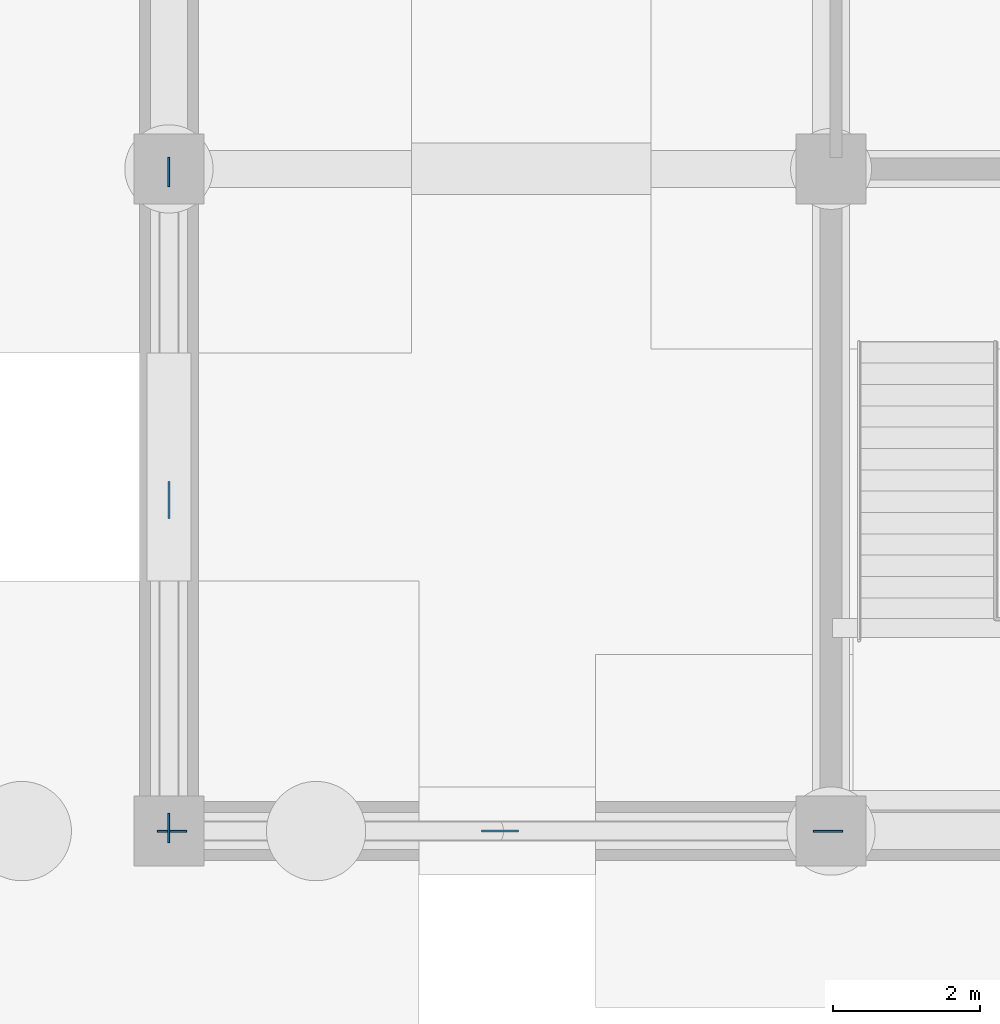
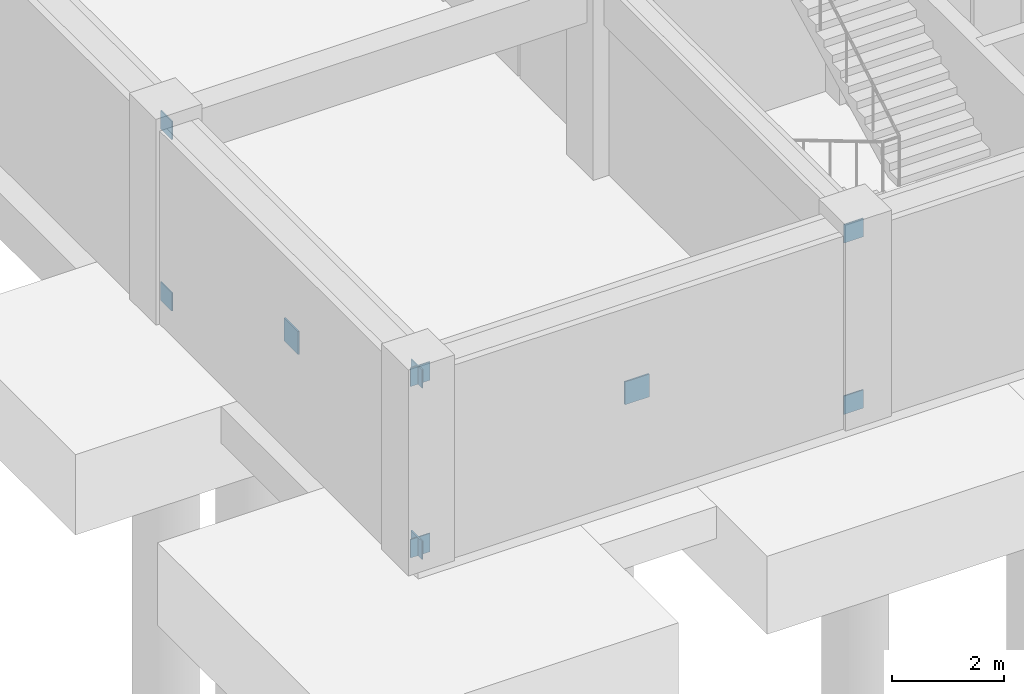
# One storey, part 34 of 41: 10 discrete accessories.
"""IFC4 building model written with IfcOpenShell, lengths in metres."""

from ifc_helpers import new_model, si_unit, direction, frame, origin, origin_2d, place, context, subcontext, project, spatial, rectangle, extrude, material, type_object, element, save


model = new_model("IFC4")

# Units and contexts
model_context = context("Model", 3, precision=1e-05, world=origin(), true_north=direction((0.0, 1.0)))
body_context = subcontext(model_context, "Body", "Model", "MODEL_VIEW")
ifc_project = project(units=[si_unit("LENGTHUNIT", "METRE"), si_unit("AREAUNIT", "SQUARE_METRE"), si_unit("VOLUMEUNIT", "CUBIC_METRE"), si_unit("PLANEANGLEUNIT", "RADIAN"), si_unit("MASSUNIT", "GRAM", prefix="KILO")], contexts=[model_context])

# Site, building, storey
site_placement = place(None, origin())
site = spatial("IfcSite", under=ifc_project, at=site_placement, CompositionType="ELEMENT")
building_placement = place(site_placement, origin())
building = spatial("IfcBuilding", under=site, at=building_placement, Name="Palais des Congres Ocreval", CompositionType="ELEMENT")
storey_placement = place(building_placement, frame((0.0, 0.0, -8.9599609375)))
storey = spatial("IfcBuildingStorey", under=building, at=storey_placement, Name="B2", CompositionType="ELEMENT", Elevation=-8.9599609375)

# Discrete accessories
ifc_material = material(Name="Steel S355", Category="steel")
discrete_accessory_type_1 = type_object("IfcDiscreteAccessoryType", Name="Cast-In Embed Plate PL25 Steel S355", PredefinedType="USERDEFINED", material=ifc_material)
for number, where, z_axis, x_axis, name in (
    (1, (0.0400390625, 0.0, 0.0), (0.0, 0.0, 1.0), (-1.0, 0.0, 0.0), "Cast-In Embed Plate EP01"),
    (2, (8.9599609375, 0.0, 3.72998046875), (0.0, 0.0, 1.0), (-1.0, 0.0, 0.0), "Cast-In Embed Plate EP01"),
    (3, (0.0400390625, 0.0, 3.72998046875), (0.0, 0.0, 1.0), (-1.0, 0.0, 0.0), "Cast-In Embed Plate EP01"),
    (4, (8.9599609375, 0.0, 0.0), (0.0, 0.0, 1.0), (-1.0, 0.0, 0.0), "Cast-In Embed Plate EP01"),
    (5, (0.0, 0.0400390625, 0.0), (0.0, 0.0, 1.0), (0.0, 1.0, 0.0), "Cast-In Embed Plate EP01"),
    (6, (0.0, 8.9599609375, 3.72998046875), (0.0, 0.0, 1.0), (0.0, 1.0, 0.0), "Cast-In Embed Plate EP01"),
    (7, (0.0, 0.0400390625, 3.72998046875), (0.0, 0.0, 1.0), (0.0, 1.0, 0.0), "Cast-In Embed Plate EP01"),
    (8, (0.0, 8.9599609375, 0.0), (0.0, 0.0, 1.0), (0.0, 1.0, 0.0), "Cast-In Embed Plate EP01"),
):
    element("IfcDiscreteAccessory", number, at=place(storey_placement, frame(where, z_axis=z_axis, x_axis=x_axis)), inside=storey, type_object=discrete_accessory_type_1, Name=name, ObjectType="EMBED PLATE", PredefinedType="USERDEFINED", context=body_context, shape_type="SweptSolid", body=[
        extrude(rectangle(XDim=0.39990234375, YDim=0.02490234375, at=origin_2d()), origin(), (0.0, 0.0, 1.0), 0.39990234375),
    ])
discrete_accessory_type_2 = type_object("IfcDiscreteAccessoryType", Name="X-Brace Node Gusset Plate PL30 Steel S355", PredefinedType="USERDEFINED", material=ifc_material)
for number, where, z_axis, x_axis, name in (
    (9, (4.5, 0.0, 1.7900390625), (0.0, 0.0, 1.0), (1.0, 0.0, 0.0), "X-Brace Node Gusset Plate GP01"),
    (10, (0.0, 4.5, 1.7900390625), (0.0, 0.0, 1.0), (0.0, 1.0, 0.0), "X-Brace Node Gusset Plate GP01"),
):
    element("IfcDiscreteAccessory", number, at=place(storey_placement, frame(where, z_axis=z_axis, x_axis=x_axis)), inside=storey, type_object=discrete_accessory_type_2, Name=name, ObjectType="GUSSET PLATE", PredefinedType="USERDEFINED", context=body_context, shape_type="SweptSolid", body=[
        extrude(rectangle(XDim=0.5, YDim=0.030029296875, at=origin_2d()), origin(), (0.0, 0.0, 1.0), 0.5),
    ])

save(model, "model.ifc")
